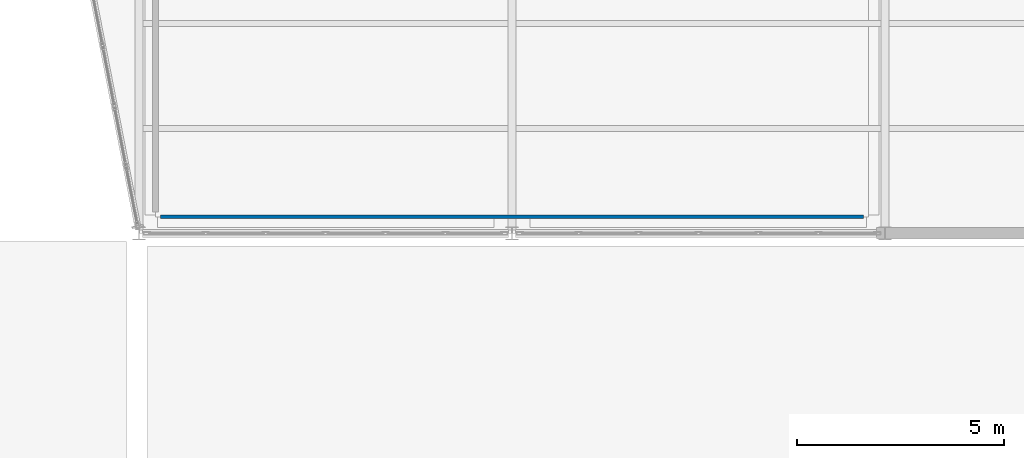
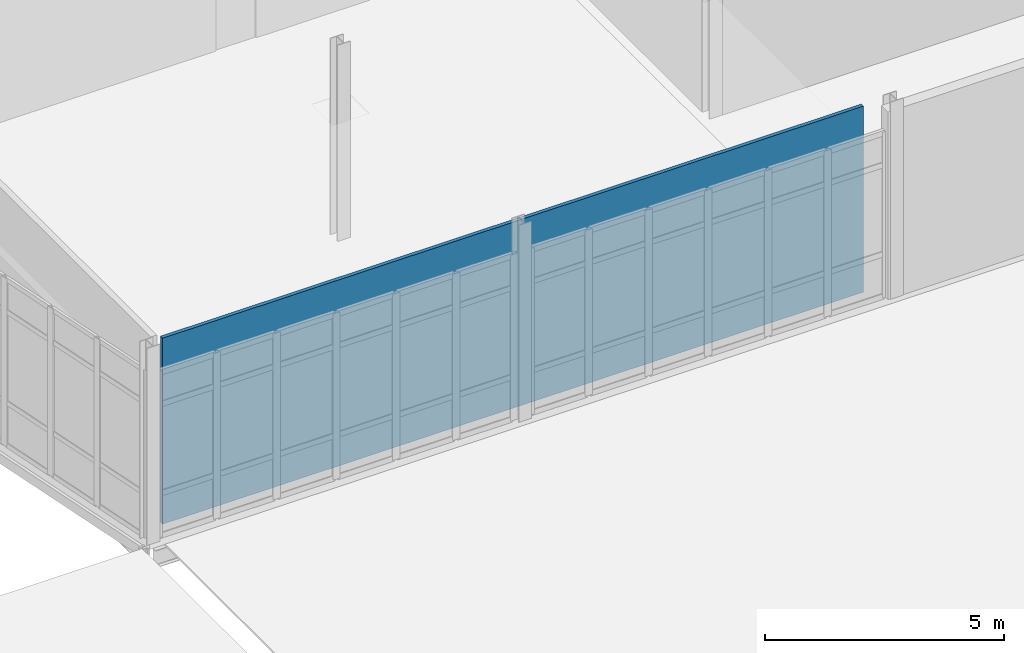
# One storey, part 143 of 161: 1 wall.
"""IFC4 building model written with IfcOpenShell, lengths in metres."""

import ifcopenshell
import ifcopenshell.guid

model = None  # the IFC model being written
_history = None  # IfcOwnerHistory: only IFC2X3 demands one
_inside = {}  # id of a spatial element -> (the spatial element, [elements in it])
_under = {}  # id of a project, library or spatial element -> (it, [spatial elements below it])
_declared = {}  # id of a project -> (the project, [libraries it declares])
_typed = {}  # id of a type object -> (the type object, [elements of that type])
_made_of = {}  # id of a material, layer set ... -> (it, [elements and type objects made of it])


def new_model(schema):
    """Start an empty IFC model of exactly this schema.

    Asked for "IFC4X3", IfcOpenShell would pick the latest addendum, in which some entities
    have other attributes; the version numbers below select the first issue.
    IFC2X3 requires an IfcOwnerHistory on every rooted entity: one is made here for all.
    """
    global model, _history
    if schema == "IFC4X3":
        model = ifcopenshell.file(schema_version=(4, 3, 0, 0))
    else:
        model = ifcopenshell.file(schema=schema)
    _inside.clear()
    _under.clear()
    _declared.clear()
    _typed.clear()
    _made_of.clear()
    _history = None
    if model.schema == "IFC2X3":
        org = make("IfcOrganization", Name="unknown")
        user = make(
            "IfcPersonAndOrganization",
            ThePerson=make("IfcPerson", FamilyName="unknown"),
            TheOrganization=org,
        )
        app = make(
            "IfcApplication",
            ApplicationDeveloper=org,
            Version="unknown",
            ApplicationFullName="unknown",
            ApplicationIdentifier="unknown",
        )
        _history = make(
            "IfcOwnerHistory",
            OwningUser=user,
            OwningApplication=app,
            ChangeAction="ADDED",
            CreationDate=0,
        )
    return model


def make(cls, **values):
    """One entity of the class cls with the attributes given. An attribute that is None is left unset."""
    return model.create_entity(
        cls, **{name: value for name, value in values.items() if value is not None}
    )


def rooted(cls, **values):
    """An entity with a GlobalId (a new one), such as an element, a storey or a relation."""
    return make(cls, GlobalId=ifcopenshell.guid.new(), OwnerHistory=_history, **values)


def si_unit(unit_type, name, prefix=None):
    """IfcSIUnit, for example si_unit("LENGTHUNIT", "METRE", prefix="MILLI")."""
    return make("IfcSIUnit", UnitType=unit_type, Prefix=prefix, Name=name)


def assignment(units):
    """IfcUnitAssignment: the units of a project."""
    return None if units is None else make("IfcUnitAssignment", Units=units)


def point(xyz):
    """IfcCartesianPoint."""
    return None if xyz is None else make("IfcCartesianPoint", Coordinates=xyz)


def direction(xyz):
    """IfcDirection."""
    return None if xyz is None else make("IfcDirection", DirectionRatios=xyz)


def frame(location, z_axis=None, x_axis=None):
    """IfcAxis2Placement3D, a coordinate frame: its origin and axes. An axis left out is left unset."""
    return make(
        "IfcAxis2Placement3D",
        Location=point(location),
        Axis=direction(z_axis),
        RefDirection=direction(x_axis),
    )


def frame_2d(location, x_axis=None):
    """IfcAxis2Placement2D, a coordinate frame in the plane: its origin and x axis."""
    return make(
        "IfcAxis2Placement2D", Location=point(location), RefDirection=direction(x_axis)
    )


def origin():
    """The frame at (0, 0, 0) with its axes left unset."""
    return frame((0.0, 0.0, 0.0))


def place(relative_to, where):
    """IfcLocalPlacement: puts the frame where relative to a parent placement (None: the world)."""
    return make(
        "IfcLocalPlacement", PlacementRelTo=relative_to, RelativePlacement=where
    )


def context(
    kind, dimensions, precision=None, world=None, true_north=None, identifier=None
):
    """IfcGeometricRepresentationContext, for example the 3D "Model" context."""
    return make(
        "IfcGeometricRepresentationContext",
        ContextIdentifier=identifier,
        ContextType=kind,
        CoordinateSpaceDimension=dimensions,
        Precision=precision,
        WorldCoordinateSystem=world,
        TrueNorth=true_north,
    )


def subcontext(parent, identifier, kind, view, scale=None):
    """IfcGeometricRepresentationSubContext, for example "Body" below "Model"."""
    return make(
        "IfcGeometricRepresentationSubContext",
        ContextIdentifier=identifier,
        ContextType=kind,
        ParentContext=parent,
        TargetScale=scale,
        TargetView=view,
    )


def project(units=None, contexts=None):
    """IfcProject with its units and contexts."""
    return rooted(
        "IfcProject",
        Name="project",
        RepresentationContexts=contexts,
        UnitsInContext=assignment(units),
    )


def spatial(cls, under=None, at=None, **own):
    """A site, building, storey or space (cls), placed at a placement, below another one or the project."""
    s = rooted(cls, ObjectPlacement=at, **own)
    if under is not None:
        _under.setdefault(under.id(), (under, []))[1].append(s)
    return s


def profile(cls, at=None, kind="AREA", **sizes):
    """A parametric profile (cls). Its sizes go by their IFC names, for example OverallWidth=200.0."""
    return make(cls, ProfileType=kind, Position=at, **sizes)


def rectangle(**sizes):
    """IfcRectangleProfileDef."""
    return profile("IfcRectangleProfileDef", **sizes)


def extrude(swept, where, along, depth):
    """IfcExtrudedAreaSolid: the profile swept, set in the frame where, extruded along a direction by depth."""
    return make(
        "IfcExtrudedAreaSolid",
        SweptArea=swept,
        Position=where,
        ExtrudedDirection=direction(along),
        Depth=depth,
    )


def shape(context_of_items, identifier, shape_type, items):
    """IfcShapeRepresentation: the items that make up one representation, for example the "Body"."""
    return make(
        "IfcShapeRepresentation",
        ContextOfItems=context_of_items,
        RepresentationIdentifier=identifier,
        RepresentationType=shape_type,
        Items=items,
    )


def material(Name=None, Category=None):
    """IfcMaterial."""
    return make("IfcMaterial", Name=Name, Category=Category)


def layer(
    of_material, thickness, ventilated=None, Name=None, Category=None, Priority=None
):
    """IfcMaterialLayer: one layer of a wall or slab, of a material (None: an air gap)."""
    return make(
        "IfcMaterialLayer",
        Material=of_material,
        LayerThickness=thickness,
        IsVentilated=ventilated,
        Name=Name,
        Category=Category,
        Priority=Priority,
    )


def layer_set(layers, Name=None):
    """IfcMaterialLayerSet."""
    return make("IfcMaterialLayerSet", MaterialLayers=layers, LayerSetName=Name)


def made_of(thing, what):
    """Note that an element or type object is made of a material, layer set ...; save() writes the relation."""
    if what is not None:
        _made_of.setdefault(what.id(), (what, []))[1].append(thing)
    return thing


def type_object(cls, material=None, **own):
    """A type object (cls), such as IfcWallType, which elements share."""
    return made_of(rooted(cls, **own), material)


def element(
    cls,
    number,
    at=None,
    inside=None,
    cuts=None,
    type_object=None,
    material=None,
    context=None,
    identifier="Body",
    shape_type=None,
    held_by="IfcProductDefinitionShape",
    body=None,
    shapes=None,
    **own,
):
    """One element of the class cls, such as IfcWall. Its Tag is "e" and its number.

    at: its placement. inside: the storey or other place that contains it. cuts: it is an
    opening in that element (IfcRelVoidsElement). A single representation is given by context,
    identifier, shape_type and body (its items); several are given by shapes. held_by: the class
    of the entity that holds the representations. save() writes the other relations.
    """
    e = rooted(cls, Tag="e%d" % number, ObjectPlacement=at, **own)
    if body is not None:
        shapes = [shape(context, identifier, shape_type, body)]
    if shapes is not None:
        e.Representation = make(held_by, Representations=shapes)
    if inside is not None:
        _inside.setdefault(inside.id(), (inside, []))[1].append(e)
    if cuts is not None:
        rooted(
            "IfcRelVoidsElement", RelatingBuildingElement=cuts, RelatedOpeningElement=e
        )
    if type_object is not None:
        _typed.setdefault(type_object.id(), (type_object, []))[1].append(e)
    return made_of(e, material)


def aggregate(whole, parts):
    """IfcRelAggregates: a whole, such as a stair, and the parts it consists of."""
    return rooted("IfcRelAggregates", RelatingObject=whole, RelatedObjects=parts)


def save(model, path):
    """Write the relations noted so far, then the file.

    IfcRelAggregates (storeys below a building ...), IfcRelContainedInSpatialStructure (elements
    in a storey), IfcRelDefinesByType, IfcRelAssociatesMaterial and IfcRelDeclares: one each for
    every whole, place, type object, material and project.
    """
    for whole, parts in _under.values():
        aggregate(whole, parts)
    for where, things in _inside.values():
        rooted(
            "IfcRelContainedInSpatialStructure",
            RelatedElements=things,
            RelatingStructure=where,
        )
    for kind, things in _typed.values():
        rooted("IfcRelDefinesByType", RelatedObjects=things, RelatingType=kind)
    for what, things in _made_of.values():
        rooted("IfcRelAssociatesMaterial", RelatedObjects=things, RelatingMaterial=what)
    for by, libraries in _declared.values():
        rooted("IfcRelDeclares", RelatingContext=by, RelatedDefinitions=libraries)
    model.write(path)


model = new_model("IFC4")

# Units and contexts
model_context = context("Model", 3, precision=1e-05, world=origin(), true_north=direction((0.0, 1.0)))
body_context = subcontext(model_context, "Body", "Model", "MODEL_VIEW")
ifc_project = project(units=[si_unit("LENGTHUNIT", "METRE"), si_unit("AREAUNIT", "SQUARE_METRE"), si_unit("VOLUMEUNIT", "CUBIC_METRE"), si_unit("PLANEANGLEUNIT", "RADIAN"), si_unit("MASSUNIT", "GRAM", prefix="KILO")], contexts=[model_context])

# Site, building, storey
site_placement = place(None, origin())
site = spatial("IfcSite", under=ifc_project, at=site_placement, CompositionType="ELEMENT")
building_placement = place(site_placement, origin())
building = spatial("IfcBuilding", under=site, at=building_placement, Name="Caisbarro Railhouse Central Library", CompositionType="ELEMENT")
storey_placement = place(building_placement, origin())
storey = spatial("IfcBuildingStorey", under=building, at=storey_placement, Name="L00", CompositionType="ELEMENT", Elevation=0.0)

# Wall
ifc_material = material(Name="Acoustic gypsum board on galvanised steel studs", Category="steel")
ifc_layer = layer(ifc_material, 0.090087890625, Name="Acoustic gypsum board on galvanised steel studs")
ifc_layer_set = layer_set([ifc_layer], Name="Acoustic gypsum board on galvanised steel studs")
wall_type = type_object("IfcWallType", Name="WAL-IW09", PredefinedType="PARTITIONING", material=ifc_layer_set)
wall_placement = place(storey_placement, frame((117.52001953125, 61.199951171875, 0.0), z_axis=(0.0, 0.0, 1.0), x_axis=(1.0, 0.0, 0.0)))
element("IfcWall", 1, at=wall_placement, inside=storey, type_object=wall_type, Name="IW09 partition wall L00 #321", PredefinedType="PARTITIONING", context=body_context, shape_type="SweptSolid", body=[
    extrude(rectangle(XDim=16.9599609375, YDim=0.090087890625, at=frame_2d((8.47998046875, 0.0))), origin(), (0.0, 0.0, 1.0), 4.760009765625),
])

save(model, "model.ifc")
